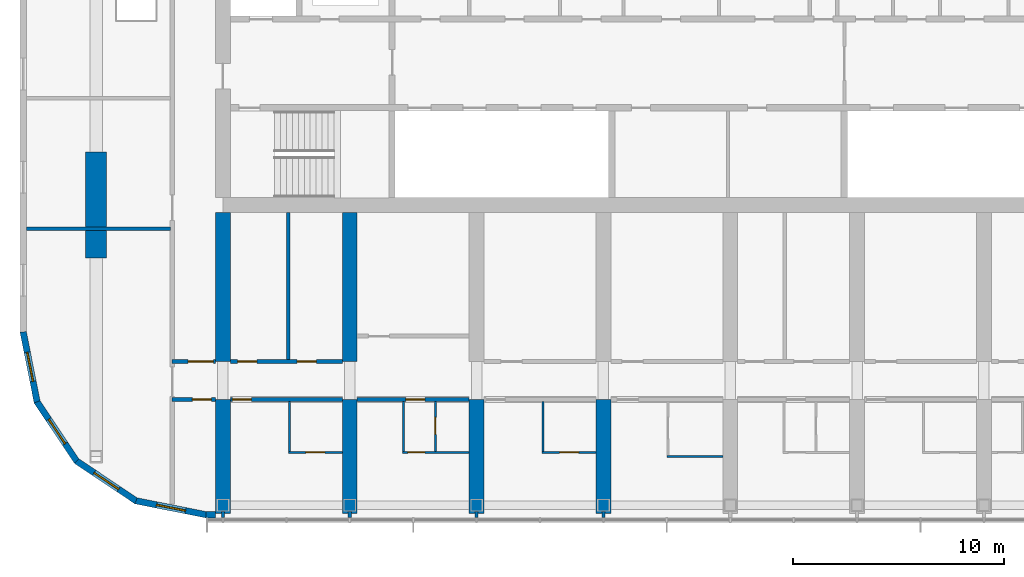
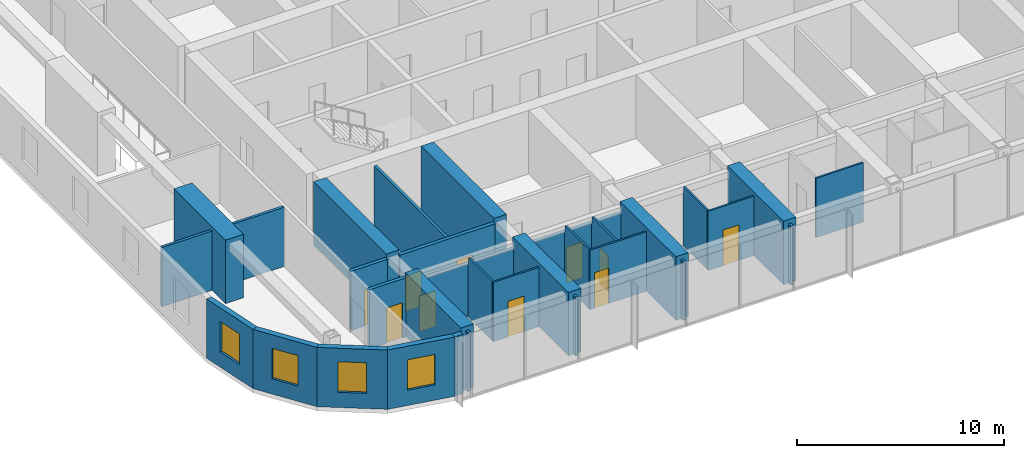
# One storey, part 10 of 23: 31 walls, 10 doors, 4 windows, 14 openings.
"""IFC4 building model written with IfcOpenShell, lengths in metres."""

import ifcopenshell
import ifcopenshell.guid

model = None  # the IFC model being written
_history = None  # IfcOwnerHistory: only IFC2X3 demands one
_inside = {}  # id of a spatial element -> (the spatial element, [elements in it])
_under = {}  # id of a project, library or spatial element -> (it, [spatial elements below it])
_declared = {}  # id of a project -> (the project, [libraries it declares])
_typed = {}  # id of a type object -> (the type object, [elements of that type])
_made_of = {}  # id of a material, layer set ... -> (it, [elements and type objects made of it])


def new_model(schema):
    """Start an empty IFC model of exactly this schema.

    Asked for "IFC4X3", IfcOpenShell would pick the latest addendum, in which some entities
    have other attributes; the version numbers below select the first issue.
    IFC2X3 requires an IfcOwnerHistory on every rooted entity: one is made here for all.
    """
    global model, _history
    if schema == "IFC4X3":
        model = ifcopenshell.file(schema_version=(4, 3, 0, 0))
    else:
        model = ifcopenshell.file(schema=schema)
    _inside.clear()
    _under.clear()
    _declared.clear()
    _typed.clear()
    _made_of.clear()
    _history = None
    if model.schema == "IFC2X3":
        org = make("IfcOrganization", Name="unknown")
        user = make(
            "IfcPersonAndOrganization",
            ThePerson=make("IfcPerson", FamilyName="unknown"),
            TheOrganization=org,
        )
        app = make(
            "IfcApplication",
            ApplicationDeveloper=org,
            Version="unknown",
            ApplicationFullName="unknown",
            ApplicationIdentifier="unknown",
        )
        _history = make(
            "IfcOwnerHistory",
            OwningUser=user,
            OwningApplication=app,
            ChangeAction="ADDED",
            CreationDate=0,
        )
    return model


def make(cls, **values):
    """One entity of the class cls with the attributes given. An attribute that is None is left unset."""
    return model.create_entity(
        cls, **{name: value for name, value in values.items() if value is not None}
    )


def rooted(cls, **values):
    """An entity with a GlobalId (a new one), such as an element, a storey or a relation."""
    return make(cls, GlobalId=ifcopenshell.guid.new(), OwnerHistory=_history, **values)


def si_unit(unit_type, name, prefix=None):
    """IfcSIUnit, for example si_unit("LENGTHUNIT", "METRE", prefix="MILLI")."""
    return make("IfcSIUnit", UnitType=unit_type, Prefix=prefix, Name=name)


def assignment(units):
    """IfcUnitAssignment: the units of a project."""
    return None if units is None else make("IfcUnitAssignment", Units=units)


def point(xyz):
    """IfcCartesianPoint."""
    return None if xyz is None else make("IfcCartesianPoint", Coordinates=xyz)


def direction(xyz):
    """IfcDirection."""
    return None if xyz is None else make("IfcDirection", DirectionRatios=xyz)


def frame(location, z_axis=None, x_axis=None):
    """IfcAxis2Placement3D, a coordinate frame: its origin and axes. An axis left out is left unset."""
    return make(
        "IfcAxis2Placement3D",
        Location=point(location),
        Axis=direction(z_axis),
        RefDirection=direction(x_axis),
    )


def frame_2d(location, x_axis=None):
    """IfcAxis2Placement2D, a coordinate frame in the plane: its origin and x axis."""
    return make(
        "IfcAxis2Placement2D", Location=point(location), RefDirection=direction(x_axis)
    )


def origin():
    """The frame at (0, 0, 0) with its axes left unset."""
    return frame((0.0, 0.0, 0.0))


def place(relative_to, where):
    """IfcLocalPlacement: puts the frame where relative to a parent placement (None: the world)."""
    return make(
        "IfcLocalPlacement", PlacementRelTo=relative_to, RelativePlacement=where
    )


def context(
    kind, dimensions, precision=None, world=None, true_north=None, identifier=None
):
    """IfcGeometricRepresentationContext, for example the 3D "Model" context."""
    return make(
        "IfcGeometricRepresentationContext",
        ContextIdentifier=identifier,
        ContextType=kind,
        CoordinateSpaceDimension=dimensions,
        Precision=precision,
        WorldCoordinateSystem=world,
        TrueNorth=true_north,
    )


def subcontext(parent, identifier, kind, view, scale=None):
    """IfcGeometricRepresentationSubContext, for example "Body" below "Model"."""
    return make(
        "IfcGeometricRepresentationSubContext",
        ContextIdentifier=identifier,
        ContextType=kind,
        ParentContext=parent,
        TargetScale=scale,
        TargetView=view,
    )


def project(units=None, contexts=None):
    """IfcProject with its units and contexts."""
    return rooted(
        "IfcProject",
        Name="project",
        RepresentationContexts=contexts,
        UnitsInContext=assignment(units),
    )


def spatial(cls, under=None, at=None, **own):
    """A site, building, storey or space (cls), placed at a placement, below another one or the project."""
    s = rooted(cls, ObjectPlacement=at, **own)
    if under is not None:
        _under.setdefault(under.id(), (under, []))[1].append(s)
    return s


def polyline(points):
    """IfcPolyline through the points."""
    return make("IfcPolyline", Points=[point(p) for p in points])


def profile(cls, at=None, kind="AREA", **sizes):
    """A parametric profile (cls). Its sizes go by their IFC names, for example OverallWidth=200.0."""
    return make(cls, ProfileType=kind, Position=at, **sizes)


def rectangle(**sizes):
    """IfcRectangleProfileDef."""
    return profile("IfcRectangleProfileDef", **sizes)


def outline(outer, holes=None, kind="AREA"):
    """IfcArbitraryClosedProfileDef: a profile drawn as a closed curve; with holes, ...WithVoids."""
    if holes is None:
        return make("IfcArbitraryClosedProfileDef", ProfileType=kind, OuterCurve=outer)
    return make(
        "IfcArbitraryProfileDefWithVoids",
        ProfileType=kind,
        OuterCurve=outer,
        InnerCurves=holes,
    )


def extrude(swept, where, along, depth):
    """IfcExtrudedAreaSolid: the profile swept, set in the frame where, extruded along a direction by depth."""
    return make(
        "IfcExtrudedAreaSolid",
        SweptArea=swept,
        Position=where,
        ExtrudedDirection=direction(along),
        Depth=depth,
    )


def shape(context_of_items, identifier, shape_type, items):
    """IfcShapeRepresentation: the items that make up one representation, for example the "Body"."""
    return make(
        "IfcShapeRepresentation",
        ContextOfItems=context_of_items,
        RepresentationIdentifier=identifier,
        RepresentationType=shape_type,
        Items=items,
    )


def material(Name=None, Category=None):
    """IfcMaterial."""
    return make("IfcMaterial", Name=Name, Category=Category)


def layer(
    of_material, thickness, ventilated=None, Name=None, Category=None, Priority=None
):
    """IfcMaterialLayer: one layer of a wall or slab, of a material (None: an air gap)."""
    return make(
        "IfcMaterialLayer",
        Material=of_material,
        LayerThickness=thickness,
        IsVentilated=ventilated,
        Name=Name,
        Category=Category,
        Priority=Priority,
    )


def layer_set(layers, Name=None):
    """IfcMaterialLayerSet."""
    return make("IfcMaterialLayerSet", MaterialLayers=layers, LayerSetName=Name)


def made_of(thing, what):
    """Note that an element or type object is made of a material, layer set ...; save() writes the relation."""
    if what is not None:
        _made_of.setdefault(what.id(), (what, []))[1].append(thing)
    return thing


def type_object(cls, material=None, **own):
    """A type object (cls), such as IfcWallType, which elements share."""
    return made_of(rooted(cls, **own), material)


def element(
    cls,
    number,
    at=None,
    inside=None,
    cuts=None,
    type_object=None,
    material=None,
    context=None,
    identifier="Body",
    shape_type=None,
    held_by="IfcProductDefinitionShape",
    body=None,
    shapes=None,
    **own,
):
    """One element of the class cls, such as IfcWall. Its Tag is "e" and its number.

    at: its placement. inside: the storey or other place that contains it. cuts: it is an
    opening in that element (IfcRelVoidsElement). A single representation is given by context,
    identifier, shape_type and body (its items); several are given by shapes. held_by: the class
    of the entity that holds the representations. save() writes the other relations.
    """
    e = rooted(cls, Tag="e%d" % number, ObjectPlacement=at, **own)
    if body is not None:
        shapes = [shape(context, identifier, shape_type, body)]
    if shapes is not None:
        e.Representation = make(held_by, Representations=shapes)
    if inside is not None:
        _inside.setdefault(inside.id(), (inside, []))[1].append(e)
    if cuts is not None:
        rooted(
            "IfcRelVoidsElement", RelatingBuildingElement=cuts, RelatedOpeningElement=e
        )
    if type_object is not None:
        _typed.setdefault(type_object.id(), (type_object, []))[1].append(e)
    return made_of(e, material)


def fill(opening, filler):
    """IfcRelFillsElement: the door or window that sits in an opening."""
    return rooted(
        "IfcRelFillsElement",
        RelatingOpeningElement=opening,
        RelatedBuildingElement=filler,
    )


def aggregate(whole, parts):
    """IfcRelAggregates: a whole, such as a stair, and the parts it consists of."""
    return rooted("IfcRelAggregates", RelatingObject=whole, RelatedObjects=parts)


def save(model, path):
    """Write the relations noted so far, then the file.

    IfcRelAggregates (storeys below a building ...), IfcRelContainedInSpatialStructure (elements
    in a storey), IfcRelDefinesByType, IfcRelAssociatesMaterial and IfcRelDeclares: one each for
    every whole, place, type object, material and project.
    """
    for whole, parts in _under.values():
        aggregate(whole, parts)
    for where, things in _inside.values():
        rooted(
            "IfcRelContainedInSpatialStructure",
            RelatedElements=things,
            RelatingStructure=where,
        )
    for kind, things in _typed.values():
        rooted("IfcRelDefinesByType", RelatedObjects=things, RelatingType=kind)
    for what, things in _made_of.values():
        rooted("IfcRelAssociatesMaterial", RelatedObjects=things, RelatingMaterial=what)
    for by, libraries in _declared.values():
        rooted("IfcRelDeclares", RelatingContext=by, RelatedDefinitions=libraries)
    model.write(path)


model = new_model("IFC4")

# Units and contexts
model_context = context("Model", 3, precision=1e-05, world=origin(), true_north=direction((0.0, 1.0)))
body_context = subcontext(model_context, "Body", "Model", "MODEL_VIEW")
ifc_project = project(units=[si_unit("LENGTHUNIT", "METRE"), si_unit("AREAUNIT", "SQUARE_METRE"), si_unit("VOLUMEUNIT", "CUBIC_METRE"), si_unit("PLANEANGLEUNIT", "RADIAN"), si_unit("MASSUNIT", "GRAM", prefix="KILO")], contexts=[model_context])

# Site, building, storey
site_placement = place(None, origin())
site = spatial("IfcSite", under=ifc_project, at=site_placement, CompositionType="ELEMENT")
building_placement = place(site_placement, origin())
building = spatial("IfcBuilding", under=site, at=building_placement, Name="Orbita Commons", CompositionType="ELEMENT")
storey_placement = place(building_placement, frame((0.0, 0.0, 220.300048828125)))
storey = spatial("IfcBuildingStorey", under=building, at=storey_placement, Name="L54", CompositionType="ELEMENT", Elevation=220.300048828125)

# Wall, opening, door
ifc_material_1 = material(Name="Concrete blockwork", Category="masonry")
ifc_layer_1 = layer(ifc_material_1, 0.199951171875)
ifc_layer_set_1 = layer_set([ifc_layer_1], Name="Concrete blockwork")
wall_type_1 = type_object("IfcWallType", Name="Corridor wall 200 blockwork", PredefinedType="SOLIDWALL", material=ifc_layer_set_1)
wall_1_placement = place(storey_placement, frame((15.60009765625, 16.60009765625, 0.0), z_axis=(0.0, 0.0, 1.0), x_axis=(1.0, 0.0, 0.0)))
wall_1 = element("IfcWall", 1, at=wall_1_placement, inside=storey, type_object=wall_type_1, Name="Corridor wall 200 blockwork L54", PredefinedType="SOLIDWALL", context=body_context, shape_type="SweptSolid", body=[
    extrude(rectangle(XDim=2.0498046875, YDim=0.199951171875, at=frame_2d((1.02490234375, 0.0))), origin(), (0.0, 0.0, 1.0), 3.5),
])
opening_1_placement = place(wall_1_placement, frame((0.949951171875, 0.0, 0.0)))
opening_1 = element("IfcOpeningElement", 2, at=opening_1_placement, cuts=wall_1, Name="Opening D05", PredefinedType="OPENING", context=body_context, shape_type="SweptSolid", body=[
    extrude(rectangle(XDim=0.89990234375, YDim=2.10009765625, at=frame_2d((0.449951171875, 1.050048828125))), frame((0.0, 0.10986328125, 0.0), z_axis=(0.0, -1.0, 0.0), x_axis=(1.0, 0.0, 0.0)), (0.0, 0.0, 1.0), 0.219970703125),
])
ifc_material_2 = material(Name="Steel-faced fire door leaf", Category="steel")
door_type_1 = type_object("IfcDoorType", Name="Service door 20 min 900x2100", OperationType="SINGLE_SWING_LEFT", PredefinedType="DOOR", material=ifc_material_2)
door_1_placement = place(opening_1_placement, origin())
door_1 = element("IfcDoor", 3, at=door_1_placement, inside=storey, type_object=door_type_1, Name="Linen store L54-KWS door", OperationType="SINGLE_SWING_LEFT", OverallHeight=2.10009765625, OverallWidth=0.89990234375, PredefinedType="DOOR", context=body_context, shape_type="SweptSolid", body=[
    extrude(rectangle(XDim=0.89990234375, YDim=2.10009765625, at=frame_2d((0.449951171875, 1.050048828125))), frame((0.0, 0.02490234375, 0.0), z_axis=(0.0, -1.0, 0.0), x_axis=(1.0, 0.0, 0.0)), (0.0, 0.0, 1.0), 0.050048828125),
])
fill(opening_1, door_1)

wall_2_placement = place(storey_placement, frame((18.35009765625, 16.60009765625, 0.0), z_axis=(0.0, 0.0, 1.0), x_axis=(1.0, 0.0, 0.0)))
wall_2 = element("IfcWall", 4, at=wall_2_placement, inside=storey, type_object=wall_type_1, Name="Corridor wall 200 blockwork L54", PredefinedType="SOLIDWALL", context=body_context, shape_type="SweptSolid", body=[
    extrude(outline(polyline([(0.0, 0.0), (5.2998046875, 0.0), (5.300048828125, 3.099853515625), (0.0, 3.099853515625), (0.0, 0.0)])), frame((0.0, 0.10009765625, 0.0), z_axis=(0.0, -1.0, 0.0), x_axis=(1.0, 0.0, 0.0)), (0.0, 0.0, 1.0), 0.199951171875),
])
opening_2_placement = place(wall_2_placement, frame((0.10009765625, 0.0, 0.0)))
opening_2 = element("IfcOpeningElement", 5, at=opening_2_placement, cuts=wall_2, Name="Opening D11", PredefinedType="OPENING", context=body_context, shape_type="SweptSolid", body=[
    extrude(rectangle(XDim=0.89990234375, YDim=2.10009765625, at=frame_2d((0.449951171875, 1.050048828125))), frame((0.0, 0.10986328125, 0.0), z_axis=(0.0, -1.0, 0.0), x_axis=(1.0, 0.0, 0.0)), (0.0, 0.0, 1.0), 0.219970703125),
])
ifc_material_3 = material(Name="Steel-faced fire door leaf", Category="steel")
door_type_2 = type_object("IfcDoorType", Name="Corridor door 20 min 900x2100", OperationType="SINGLE_SWING_LEFT", PredefinedType="DOOR", material=ifc_material_3)
door_2_placement = place(opening_2_placement, origin())
door_2 = element("IfcDoor", 6, at=door_2_placement, inside=storey, type_object=door_type_2, Name="Studio apartment with kitchenette L54-S00 door", OperationType="SINGLE_SWING_LEFT", OverallHeight=2.10009765625, OverallWidth=0.89990234375, PredefinedType="DOOR", context=body_context, shape_type="SweptSolid", body=[
    extrude(rectangle(XDim=0.89990234375, YDim=2.10009765625, at=frame_2d((0.449951171875, 1.050048828125))), frame((0.0, 0.02490234375, 0.0), z_axis=(0.0, -1.0, 0.0), x_axis=(1.0, 0.0, 0.0)), (0.0, 0.0, 1.0), 0.050048828125),
])
fill(opening_2, door_2)

wall_3_placement = place(storey_placement, frame((24.35009765625, 16.60009765625, 0.0), z_axis=(0.0, 0.0, 1.0), x_axis=(1.0, 0.0, 0.0)))
wall_3 = element("IfcWall", 7, at=wall_3_placement, inside=storey, type_object=wall_type_1, Name="Corridor wall 200 blockwork L54", PredefinedType="SOLIDWALL", context=body_context, shape_type="SweptSolid", body=[
    extrude(outline(polyline([(0.0, 0.0), (5.2998046875, 0.0), (5.300048828125, 3.099853515625), (0.0, 3.099853515625), (0.0, 0.0)])), frame((0.0, 0.10009765625, 0.0), z_axis=(0.0, -1.0, 0.0), x_axis=(1.0, 0.0, 0.0)), (0.0, 0.0, 1.0), 0.199951171875),
])
opening_3_placement = place(wall_3_placement, frame((2.300048828125, 0.0, 0.0)))
opening_3 = element("IfcOpeningElement", 8, at=opening_3_placement, cuts=wall_3, Name="Opening D11", PredefinedType="OPENING", context=body_context, shape_type="SweptSolid", body=[
    extrude(rectangle(XDim=0.89990234375, YDim=2.10009765625, at=frame_2d((0.449951171875, 1.050048828125))), frame((0.0, 0.10986328125, 0.0), z_axis=(0.0, -1.0, 0.0), x_axis=(1.0, 0.0, 0.0)), (0.0, 0.0, 1.0), 0.219970703125),
])
door_3_placement = place(opening_3_placement, origin())
door_3 = element("IfcDoor", 9, at=door_3_placement, inside=storey, type_object=door_type_2, Name="Studio flat L54-S02 entrance door", OperationType="SINGLE_SWING_LEFT", OverallHeight=2.10009765625, OverallWidth=0.89990234375, PredefinedType="DOOR", context=body_context, shape_type="SweptSolid", body=[
    extrude(rectangle(XDim=0.89990234375, YDim=2.10009765625, at=frame_2d((0.449951171875, 1.050048828125))), frame((0.0, 0.02490234375, 0.0), z_axis=(0.0, -1.0, 0.0), x_axis=(1.0, 0.0, 0.0)), (0.0, 0.0, 1.0), 0.050048828125),
])
fill(opening_3, door_3)

ifc_material_4 = material(Name="Hollow concrete block 200", Category="concrete")
ifc_layer_2 = layer(ifc_material_4, 0.199951171875)
ifc_layer_set_2 = layer_set([ifc_layer_2], Name="Hollow concrete block 200")
wall_type_2 = type_object("IfcWallType", Name="Corridor wall 200 hollow concrete block", PredefinedType="SOLIDWALL", material=ifc_layer_set_2)
wall_4_placement = place(storey_placement, frame((15.60009765625, 18.39990234375, 0.0), z_axis=(0.0, 0.0, 1.0), x_axis=(1.0, 0.0, 0.0)))
wall_4 = element("IfcWall", 10, at=wall_4_placement, inside=storey, type_object=wall_type_2, Name="Corridor wall 200 hollow concrete block L54", PredefinedType="SOLIDWALL", context=body_context, shape_type="SweptSolid", body=[
    extrude(rectangle(XDim=2.0498046875, YDim=0.199951171875, at=frame_2d((1.02490234375, 0.0))), origin(), (0.0, 0.0, 1.0), 3.5),
])
opening_4_placement = place(wall_4_placement, frame((0.75, 0.0, 0.0)))
opening_4 = element("IfcOpeningElement", 11, at=opening_4_placement, cuts=wall_4, Name="Opening D12", PredefinedType="OPENING", context=body_context, shape_type="SweptSolid", body=[
    extrude(rectangle(XDim=1.199951171875, YDim=2.10009765625, at=frame_2d((0.60009765625, 1.050048828125))), frame((0.0, 0.10986328125, 0.0), z_axis=(0.0, -1.0, 0.0), x_axis=(1.0, 0.0, 0.0)), (0.0, 0.0, 1.0), 0.219970703125),
])
ifc_material_5 = material(Name="Steel-faced fire door leaf", Category="steel")
door_type_3 = type_object("IfcDoorType", Name="Double corridor door 20 min 1200x2100", OperationType="DOUBLE_DOOR_SINGLE_SWING", PredefinedType="DOOR", material=ifc_material_5)
door_4_placement = place(opening_4_placement, origin())
door_4 = element("IfcDoor", 12, at=door_4_placement, inside=storey, type_object=door_type_3, Name="Cross corridor doors", OperationType="DOUBLE_DOOR_SINGLE_SWING", OverallHeight=2.10009765625, OverallWidth=1.199951171875, PredefinedType="DOOR", context=body_context, shape_type="SweptSolid", body=[
    extrude(rectangle(XDim=1.199951171875, YDim=2.10009765625, at=frame_2d((0.60009765625, 1.050048828125))), frame((0.0, 0.02490234375, 0.0), z_axis=(0.0, -1.0, 0.0), x_axis=(1.0, 0.0, 0.0)), (0.0, 0.0, 1.0), 0.050048828125),
])
fill(opening_4, door_4)

# Wall, openings, doors
wall_5_placement = place(storey_placement, frame((18.35009765625, 18.39990234375, 0.0), z_axis=(0.0, 0.0, 1.0), x_axis=(1.0, 0.0, 0.0)))
wall_5 = element("IfcWall", 13, at=wall_5_placement, inside=storey, type_object=wall_type_2, Name="Corridor wall 200 hollow concrete block L54", PredefinedType="SOLIDWALL", context=body_context, shape_type="SweptSolid", body=[
    extrude(rectangle(XDim=5.2998046875, YDim=0.199951171875, at=frame_2d((2.64990234375, 0.0))), origin(), (0.0, 0.0, 1.0), 3.5),
])
opening_5_placement = place(wall_5_placement, frame((0.35009765625, 0.0, 0.0)))
opening_5 = element("IfcOpeningElement", 14, at=opening_5_placement, cuts=wall_5, Name="Opening D11", PredefinedType="OPENING", context=body_context, shape_type="SweptSolid", body=[
    extrude(rectangle(XDim=0.89990234375, YDim=2.10009765625, at=frame_2d((0.449951171875, 1.050048828125))), frame((0.0, 0.10986328125, 0.0), z_axis=(0.0, -1.0, 0.0), x_axis=(1.0, 0.0, 0.0)), (0.0, 0.0, 1.0), 0.219970703125),
])
opening_6_placement = place(wall_5_placement, frame((3.1650390625, 0.0, 0.0)))
opening_6 = element("IfcOpeningElement", 15, at=opening_6_placement, cuts=wall_5, Name="Opening D11", PredefinedType="OPENING", context=body_context, shape_type="SweptSolid", body=[
    extrude(rectangle(XDim=0.89990234375, YDim=2.10009765625, at=frame_2d((0.449951171875, 1.050048828125))), frame((0.0, 0.10986328125, 0.0), z_axis=(0.0, -1.0, 0.0), x_axis=(1.0, 0.0, 0.0)), (0.0, 0.0, 1.0), 0.219970703125),
])
door_5_placement = place(opening_5_placement, origin())
door_5 = element("IfcDoor", 16, at=door_5_placement, inside=storey, type_object=door_type_2, Name="Accessible WC and shower room L54-BDS18n door", OperationType="SINGLE_SWING_LEFT", OverallHeight=2.10009765625, OverallWidth=0.89990234375, PredefinedType="DOOR", context=body_context, shape_type="SweptSolid", body=[
    extrude(rectangle(XDim=0.89990234375, YDim=2.10009765625, at=frame_2d((0.449951171875, 1.050048828125))), frame((0.0, 0.02490234375, 0.0), z_axis=(0.0, -1.0, 0.0), x_axis=(1.0, 0.0, 0.0)), (0.0, 0.0, 1.0), 0.050048828125),
])
fill(opening_5, door_5)
door_6_placement = place(opening_6_placement, origin())
door_6 = element("IfcDoor", 17, at=door_6_placement, inside=storey, type_object=door_type_2, Name="Meeting room L54-BDS18 door", OperationType="SINGLE_SWING_LEFT", OverallHeight=2.10009765625, OverallWidth=0.89990234375, PredefinedType="DOOR", context=body_context, shape_type="SweptSolid", body=[
    extrude(rectangle(XDim=0.89990234375, YDim=2.10009765625, at=frame_2d((0.449951171875, 1.050048828125))), frame((0.0, 0.02490234375, 0.0), z_axis=(0.0, -1.0, 0.0), x_axis=(1.0, 0.0, 0.0)), (0.0, 0.0, 1.0), 0.050048828125),
])
fill(opening_6, door_6)

# Walls
ifc_material_6 = material(Name="Concrete C50/60", Category="concrete")
ifc_layer_3 = layer(ifc_material_6, 0.699951171875)
ifc_layer_set_3 = layer_set([ifc_layer_3], Name="Concrete C50/60")
wall_type_3 = type_object("IfcWallType", Name="Cross wall 700 C50/60", PredefinedType="SHEAR", material=ifc_layer_set_3)
wall_6_placement = place(storey_placement, frame((18.0, 11.199951171875, 0.0), z_axis=(0.0, 0.0, 1.0), x_axis=(0.0, 1.0, 0.0)))
element("IfcWall", 18, at=wall_6_placement, inside=storey, type_object=wall_type_3, Name="Cross wall 4 south outer L54", PredefinedType="SHEAR", context=body_context, shape_type="SweptSolid", body=[
    extrude(rectangle(XDim=5.400146484375, YDim=0.699951171875, at=frame_2d((2.7001953125, 0.0))), origin(), (0.0, 0.0, 1.0), 3.75),
])
wall_7_placement = place(storey_placement, frame((18.0, 18.39990234375, 0.0), z_axis=(0.0, 0.0, 1.0), x_axis=(0.0, 1.0, 0.0)))
element("IfcWall", 19, at=wall_7_placement, inside=storey, type_object=wall_type_3, Name="Cross wall 4 south inner L54", PredefinedType="SHEAR", context=body_context, shape_type="SweptSolid", body=[
    extrude(rectangle(XDim=7.050048828125, YDim=0.699951171875, at=frame_2d((3.52490234375, 0.0))), origin(), (0.0, 0.0, 1.0), 3.75),
])
wall_8_placement = place(storey_placement, frame((24.0, 11.199951171875, 0.0), z_axis=(0.0, 0.0, 1.0), x_axis=(0.0, 1.0, 0.0)))
element("IfcWall", 20, at=wall_8_placement, inside=storey, type_object=wall_type_3, Name="Cross wall 5 south outer L54", PredefinedType="SHEAR", context=body_context, shape_type="SweptSolid", body=[
    extrude(rectangle(XDim=5.400146484375, YDim=0.699951171875, at=frame_2d((2.7001953125, 0.0))), origin(), (0.0, 0.0, 1.0), 3.75),
])
wall_9_placement = place(storey_placement, frame((24.0, 18.39990234375, 0.0), z_axis=(0.0, 0.0, 1.0), x_axis=(0.0, 1.0, 0.0)))
element("IfcWall", 21, at=wall_9_placement, inside=storey, type_object=wall_type_3, Name="Cross wall 5 south inner L54", PredefinedType="SHEAR", context=body_context, shape_type="SweptSolid", body=[
    extrude(rectangle(XDim=7.050048828125, YDim=0.699951171875, at=frame_2d((3.52490234375, 0.0))), origin(), (0.0, 0.0, 1.0), 3.75),
])
for number, where, z_axis, x_axis, name in (
    (22, (30.0, 11.199951171875, 0.0), (0.0, 0.0, 1.0), (0.0, 1.0, 0.0), "Cross wall 6 south outer L54"),
    (23, (36.0, 11.199951171875, 0.0), (0.0, 0.0, 1.0), (0.0, 1.0, 0.0), "Cross wall 7 south outer L54"),
):
    element("IfcWall", number, at=place(storey_placement, frame(where, z_axis=z_axis, x_axis=x_axis)), inside=storey, type_object=wall_type_3, Name=name, PredefinedType="SHEAR", context=body_context, shape_type="SweptSolid", body=[
        extrude(rectangle(XDim=5.400146484375, YDim=0.699951171875, at=frame_2d((2.7001953125, 0.0))), origin(), (0.0, 0.0, 1.0), 3.75),
    ])

# Wall, opening, door
ifc_material_7 = material(Name="Moisture-resistant plasterboard on steel studs", Category="steel")
ifc_layer_4 = layer(ifc_material_7, 0.10009765625)
ifc_layer_set_4 = layer_set([ifc_layer_4], Name="Moisture-resistant plasterboard on steel studs")
wall_type_4 = type_object("IfcWallType", Name="En-suite partition 100", PredefinedType="PARTITIONING", material=ifc_layer_set_4)
wall_10_placement = place(storey_placement, frame((23.64990234375, 14.10009765625, 0.0), z_axis=(0.0, 0.0, 1.0), x_axis=(-1.0, 0.0, 0.0)))
wall_10 = element("IfcWall", 24, at=wall_10_placement, inside=storey, type_object=wall_type_4, Name="En-suite partition 100 L54", PredefinedType="PARTITIONING", context=body_context, shape_type="SweptSolid", body=[
    extrude(rectangle(XDim=2.5498046875, YDim=0.10009765625, at=frame_2d((1.27490234375, 0.0))), origin(), (0.0, 0.0, 1.0), 3.5),
])
opening_7_placement = place(wall_10_placement, frame((0.824951171875, 0.0, 0.0)))
opening_7 = element("IfcOpeningElement", 25, at=opening_7_placement, cuts=wall_10, Name="Opening D09", PredefinedType="OPENING", context=body_context, shape_type="SweptSolid", body=[
    extrude(rectangle(XDim=0.89990234375, YDim=2.10009765625, at=frame_2d((0.449951171875, 1.050048828125))), frame((0.0, 0.06005859375, 0.0), z_axis=(0.0, -1.0, 0.0), x_axis=(1.0, 0.0, 0.0)), (0.0, 0.0, 1.0), 0.1201171875),
])
ifc_material_8 = material(Name="Laminated timber door leaf", Category="wood")
door_type_4 = type_object("IfcDoorType", Name="En-suite door 900x2100", OperationType="SINGLE_SWING_RIGHT", PredefinedType="DOOR", material=ifc_material_8)
door_7_placement = place(opening_7_placement, origin())
door_7 = element("IfcDoor", 26, at=door_7_placement, inside=storey, type_object=door_type_4, Name="En-suite L54-S00 door", OperationType="SINGLE_SWING_RIGHT", OverallHeight=2.10009765625, OverallWidth=0.89990234375, PredefinedType="DOOR", context=body_context, shape_type="SweptSolid", body=[
    extrude(rectangle(XDim=0.89990234375, YDim=2.10009765625, at=frame_2d((0.449951171875, 1.050048828125))), frame((0.0, 0.02490234375, 0.0), z_axis=(0.0, -1.0, 0.0), x_axis=(1.0, 0.0, 0.0)), (0.0, 0.0, 1.0), 0.050048828125),
])
fill(opening_7, door_7)

# Wall
wall_11_placement = place(storey_placement, frame((21.14990234375, 14.14990234375, 0.0), z_axis=(0.0, 0.0, 1.0), x_axis=(0.0, 1.0, 0.0)))
element("IfcWall", 27, at=wall_11_placement, inside=storey, type_object=wall_type_4, Name="En-suite partition 100 L54", PredefinedType="PARTITIONING", context=body_context, shape_type="SweptSolid", body=[
    extrude(outline(polyline([(0.0, 0.0), (2.35009765625, 0.0), (2.35009765625, 3.099853515625), (2.302001953125, 3.099853515625), (2.300048828125, 3.5), (0.0, 3.5), (0.0, 0.0)])), frame((0.0, 0.050048828125, 0.0), z_axis=(0.0, -1.0, 0.0), x_axis=(1.0, 0.0, 0.0)), (0.0, 0.0, 1.0), 0.10009765625),
])

# Wall, opening, door
wall_12_placement = place(storey_placement, frame((29.64990234375, 14.10009765625, 0.0), z_axis=(0.0, 0.0, 1.0), x_axis=(-1.0, 0.0, 0.0)))
wall_12 = element("IfcWall", 28, at=wall_12_placement, inside=storey, type_object=wall_type_4, Name="En-suite partition 100 L54", PredefinedType="PARTITIONING", context=body_context, shape_type="SweptSolid", body=[
    extrude(rectangle(XDim=3.14990234375, YDim=0.10009765625, at=frame_2d((1.574951171875, 0.0))), origin(), (0.0, 0.0, 1.0), 3.5),
])
opening_8_placement = place(wall_12_placement, frame((2.10009765625, 0.0, 0.0)))
opening_8 = element("IfcOpeningElement", 29, at=opening_8_placement, cuts=wall_12, Name="Opening D16", PredefinedType="OPENING", context=body_context, shape_type="SweptSolid", body=[
    extrude(rectangle(XDim=0.800048828125, YDim=2.10009765625, at=frame_2d((0.39990234375, 1.050048828125))), frame((0.0, 0.06005859375, 0.0), z_axis=(0.0, -1.0, 0.0), x_axis=(1.0, 0.0, 0.0)), (0.0, 0.0, 1.0), 0.1201171875),
])
ifc_material_9 = material(Name="Laminated timber door leaf", Category="wood")
door_type_5 = type_object("IfcDoorType", Name="En-suite door 800x2100", OperationType="SINGLE_SWING_RIGHT", PredefinedType="DOOR", material=ifc_material_9)
door_8_placement = place(opening_8_placement, origin())
door_8 = element("IfcDoor", 30, at=door_8_placement, inside=storey, type_object=door_type_5, Name="Studio flat L54-S02 door", OperationType="SINGLE_SWING_RIGHT", OverallHeight=2.10009765625, OverallWidth=0.800048828125, PredefinedType="DOOR", context=body_context, shape_type="SweptSolid", body=[
    extrude(rectangle(XDim=0.800048828125, YDim=2.10009765625, at=frame_2d((0.39990234375, 1.050048828125))), frame((0.0, 0.02490234375, 0.0), z_axis=(0.0, -1.0, 0.0), x_axis=(1.0, 0.0, 0.0)), (0.0, 0.0, 1.0), 0.050048828125),
])
fill(opening_8, door_8)

# Wall
wall_13_placement = place(storey_placement, frame((26.550048828125, 14.14990234375, 0.0), z_axis=(0.0, 0.0, 1.0), x_axis=(0.0, 1.0, 0.0)))
element("IfcWall", 31, at=wall_13_placement, inside=storey, type_object=wall_type_4, Name="En-suite partition 100 L54", PredefinedType="PARTITIONING", context=body_context, shape_type="SweptSolid", body=[
    extrude(outline(polyline([(0.0, 0.0), (2.35009765625, 0.0), (2.35009765625, 3.099853515625), (2.302001953125, 3.099853515625), (2.300048828125, 3.5), (0.0, 3.5), (0.0, 0.0)])), frame((0.0, 0.050048828125, 0.0), z_axis=(0.0, -1.0, 0.0), x_axis=(1.0, 0.0, 0.0)), (0.0, 0.0, 1.0), 0.10009765625),
])

# Wall, opening, door
wall_14_placement = place(storey_placement, frame((28.050048828125, 14.14990234375, 0.0), z_axis=(0.0, 0.0, 1.0), x_axis=(0.0, 1.0, 0.0)))
wall_14 = element("IfcWall", 32, at=wall_14_placement, inside=storey, type_object=wall_type_4, Name="En-suite partition 100 L54", PredefinedType="PARTITIONING", context=body_context, shape_type="SweptSolid", body=[
    extrude(outline(polyline([(0.0, 0.0), (2.35009765625, 0.0), (2.35009765625, 3.099853515625), (2.302001953125, 3.099853515625), (2.300048828125, 3.5), (0.0, 3.5), (0.0, 0.0)])), frame((0.0, 0.050048828125, 0.0), z_axis=(0.0, -1.0, 0.0), x_axis=(1.0, 0.0, 0.0)), (0.0, 0.0, 1.0), 0.10009765625),
])
opening_9_placement = place(wall_14_placement, frame((0.800048828125, 0.0, 0.0)))
opening_9 = element("IfcOpeningElement", 33, at=opening_9_placement, cuts=wall_14, Name="Opening D16", PredefinedType="OPENING", context=body_context, shape_type="SweptSolid", body=[
    extrude(rectangle(XDim=0.800048828125, YDim=2.10009765625, at=frame_2d((0.39990234375, 1.050048828125))), frame((0.0, 0.06005859375, 0.0), z_axis=(0.0, -1.0, 0.0), x_axis=(1.0, 0.0, 0.0)), (0.0, 0.0, 1.0), 0.1201171875),
])
door_9_placement = place(opening_9_placement, origin())
door_9 = element("IfcDoor", 34, at=door_9_placement, inside=storey, type_object=door_type_5, Name="Studio flat shower room L54-S02 door", OperationType="SINGLE_SWING_RIGHT", OverallHeight=2.10009765625, OverallWidth=0.800048828125, PredefinedType="DOOR", context=body_context, shape_type="SweptSolid", body=[
    extrude(rectangle(XDim=0.800048828125, YDim=2.10009765625, at=frame_2d((0.39990234375, 1.050048828125))), frame((0.0, 0.02490234375, 0.0), z_axis=(0.0, -1.0, 0.0), x_axis=(1.0, 0.0, 0.0)), (0.0, 0.0, 1.0), 0.050048828125),
])
fill(opening_9, door_9)

wall_15_placement = place(storey_placement, frame((35.64990234375, 14.10009765625, 0.0), z_axis=(0.0, 0.0, 1.0), x_axis=(-1.0, 0.0, 0.0)))
wall_15 = element("IfcWall", 35, at=wall_15_placement, inside=storey, type_object=wall_type_4, Name="En-suite partition 100 L54", PredefinedType="PARTITIONING", context=body_context, shape_type="SweptSolid", body=[
    extrude(rectangle(XDim=2.5498046875, YDim=0.10009765625, at=frame_2d((1.27490234375, 0.0))), origin(), (0.0, 0.0, 1.0), 3.5),
])
opening_10_placement = place(wall_15_placement, frame((0.824951171875, 0.0, 0.0)))
opening_10 = element("IfcOpeningElement", 36, at=opening_10_placement, cuts=wall_15, Name="Opening D09", PredefinedType="OPENING", context=body_context, shape_type="SweptSolid", body=[
    extrude(rectangle(XDim=0.89990234375, YDim=2.10009765625, at=frame_2d((0.449951171875, 1.050048828125))), frame((0.0, 0.06005859375, 0.0), z_axis=(0.0, -1.0, 0.0), x_axis=(1.0, 0.0, 0.0)), (0.0, 0.0, 1.0), 0.1201171875),
])
door_10_placement = place(opening_10_placement, origin())
door_10 = element("IfcDoor", 37, at=door_10_placement, inside=storey, type_object=door_type_4, Name="En-suite L54-S04 door", OperationType="SINGLE_SWING_RIGHT", OverallHeight=2.10009765625, OverallWidth=0.89990234375, PredefinedType="DOOR", context=body_context, shape_type="SweptSolid", body=[
    extrude(rectangle(XDim=0.89990234375, YDim=2.10009765625, at=frame_2d((0.449951171875, 1.050048828125))), frame((0.0, 0.02490234375, 0.0), z_axis=(0.0, -1.0, 0.0), x_axis=(1.0, 0.0, 0.0)), (0.0, 0.0, 1.0), 0.050048828125),
])
fill(opening_10, door_10)

# Walls
wall_16_placement = place(storey_placement, frame((33.14990234375, 14.14990234375, 0.0), z_axis=(0.0, 0.0, 1.0), x_axis=(0.0, 1.0, 0.0)))
element("IfcWall", 38, at=wall_16_placement, inside=storey, type_object=wall_type_4, Name="En-suite partition 100 L54", PredefinedType="PARTITIONING", context=body_context, shape_type="SweptSolid", body=[
    extrude(outline(polyline([(0.0, 0.0), (2.35009765625, 0.0), (2.35009765625, 3.099853515625), (2.302001953125, 3.099853515625), (2.300048828125, 3.5), (0.0, 3.5), (0.0, 0.0)])), frame((0.0, 0.050048828125, 0.0), z_axis=(0.0, -1.0, 0.0), x_axis=(1.0, 0.0, 0.0)), (0.0, 0.0, 1.0), 0.10009765625),
])
wall_17_placement = place(storey_placement, frame((39.0, 13.89990234375, 0.0), z_axis=(0.0, 0.0, 1.0), x_axis=(1.0, 0.0, 0.0)))
element("IfcWall", 39, at=wall_17_placement, inside=storey, type_object=wall_type_4, Name="En-suite partition 100 L54", PredefinedType="PARTITIONING", context=body_context, shape_type="SweptSolid", body=[
    extrude(rectangle(XDim=2.64990234375, YDim=0.10009765625, at=frame_2d((1.324951171875, 0.0))), origin(), (0.0, 0.0, 1.0), 3.5),
])
ifc_material_10 = material(Name="Concrete C50/60", Category="concrete")
ifc_layer_5 = layer(ifc_material_10, 1.0)
ifc_layer_set_5 = layer_set([ifc_layer_5], Name="Concrete C50/60")
wall_type_5 = type_object("IfcWallType", Name="End pier 1000x5000 C50/60", PredefinedType="SHEAR", material=ifc_layer_set_5)
wall_18_placement = place(storey_placement, frame((12.0, 23.300048828125, 0.0), z_axis=(0.0, 0.0, 1.0), x_axis=(0.0, 1.0, 0.0)))
element("IfcWall", 40, at=wall_18_placement, inside=storey, type_object=wall_type_5, Name="End pier 3/C L54", PredefinedType="SHEAR", context=body_context, shape_type="SweptSolid", body=[
    extrude(rectangle(XDim=5.0, YDim=1.0, at=frame_2d((2.5, 0.0))), origin(), (0.0, 0.0, 1.0), 3.75),
])
ifc_material_11 = material(Name="Gypsum plasterboard on steel studs", Category="steel")
ifc_layer_6 = layer(ifc_material_11, 0.14990234375)
ifc_layer_set_6 = layer_set([ifc_layer_6], Name="Gypsum plasterboard on steel studs")
wall_type_6 = type_object("IfcWallType", Name="Partition 150 plasterboard", PredefinedType="PARTITIONING", material=ifc_layer_set_6)
wall_19_placement = place(storey_placement, frame((21.090087890625, 18.5, 0.0), z_axis=(0.0, 0.0, 1.0), x_axis=(0.0, 1.0, 0.0)))
element("IfcWall", 41, at=wall_19_placement, inside=storey, type_object=wall_type_6, Name="Partition 150 plasterboard L54", PredefinedType="PARTITIONING", context=body_context, shape_type="SweptSolid", body=[
    extrude(rectangle(XDim=6.949951171875, YDim=0.14990234375, at=frame_2d((3.47509765625, 0.0))), origin(), (0.0, 0.0, 1.0), 3.5),
])
wall_20_placement = place(storey_placement, frame((8.705078125, 24.679931640625, 0.0), z_axis=(0.0, 0.0, 1.0), x_axis=(1.0, 0.0, 0.0)))
element("IfcWall", 42, at=wall_20_placement, inside=storey, type_object=wall_type_6, Name="Partition 150 plasterboard L54", PredefinedType="PARTITIONING", context=body_context, shape_type="SweptSolid", body=[
    extrude(rectangle(XDim=6.81982421875, YDim=0.14990234375, at=frame_2d((3.409912109375, 0.0))), origin(), (0.0, 0.0, 1.0), 3.5),
])
for number, where, z_axis, x_axis, name in (
    (43, (18.0, 11.300048828125, 0.0), (0.0, 0.0, 1.0), (0.0, -1.0, 0.0), "Partition 150 plasterboard L54"),
    (44, (24.0, 11.300048828125, 0.0), (0.0, 0.0, 1.0), (0.0, -1.0, 0.0), "Partition 150 plasterboard L54"),
    (45, (30.0, 11.300048828125, 0.0), (0.0, 0.0, 1.0), (0.0, -1.0, 0.0), "Partition 150 plasterboard L54"),
    (46, (36.0, 11.300048828125, 0.0), (0.0, 0.0, 1.0), (0.0, -1.0, 0.0), "Partition 150 plasterboard L54"),
):
    element("IfcWall", number, at=place(storey_placement, frame(where, z_axis=z_axis, x_axis=x_axis)), inside=storey, type_object=wall_type_6, Name=name, PredefinedType="PARTITIONING", context=body_context, shape_type="SweptSolid", body=[
        extrude(rectangle(XDim=0.2900390625, YDim=0.14990234375, at=frame_2d((0.14501953125, 0.0))), origin(), (0.0, 0.0, 1.0), 3.5),
    ])

# Wall, opening, window
ifc_material_12 = material(Name="Precast concrete C40/50, white board-marked finish", Category="concrete")
ifc_layer_7 = layer(ifc_material_12, 0.300048828125)
ifc_layer_set_7 = layer_set([ifc_layer_7], Name="Precast concrete C40/50, white board-marked finish")
wall_type_7 = type_object("IfcWallType", Name="Precast concrete end shield 300", PredefinedType="SOLIDWALL", material=ifc_layer_set_7)
wall_21_placement = place(storey_placement, frame((8.550048828125, 19.800048828125, 0.0), z_axis=(0.0, 0.0, 1.0), x_axis=(0.19508664885, -0.980786011034, 0.0)))
wall_21 = element("IfcWall", 47, at=wall_21_placement, inside=storey, type_object=wall_type_7, Name="End shield SW chord 1 L54", PredefinedType="SOLIDWALL", context=body_context, shape_type="SweptSolid", body=[
    extrude(outline(polyline([(-0.014892578125, -0.14990234375), (3.405029296875, -0.14990234375), (3.345458984375, 0.14990234375), (0.014892578125, 0.14990234375), (-0.014892578125, -0.14990234375)])), origin(), (0.0, 0.0, 1.0), 3.5),
])
opening_11_placement = place(wall_21_placement, frame((0.987548828125, 0.0, 0.89990234375)))
opening_11 = element("IfcOpeningElement", 48, at=opening_11_placement, cuts=wall_21, Name="Opening W02", PredefinedType="OPENING", context=body_context, shape_type="SweptSolid", body=[
    extrude(rectangle(XDim=1.39990234375, YDim=1.800048828125, at=frame_2d((0.699951171875, 0.89990234375))), frame((0.0, 0.159912109375, 0.0), z_axis=(0.0, -1.0, 0.0), x_axis=(1.0, 0.0, 0.0)), (0.0, 0.0, 1.0), 0.320068359375),
])
ifc_material_13 = material(Name="Aluminium frame, clear double glazing", Category="aluminium")
window_type = type_object("IfcWindowType", Name="Deep-set window 1400x1800", PartitioningType="SINGLE_PANEL", PredefinedType="WINDOW", material=ifc_material_13)
window_1_placement = place(opening_11_placement, origin())
window_1 = element("IfcWindow", 49, at=window_1_placement, inside=storey, type_object=window_type, Name="Window L54-SW0", OverallHeight=1.800048828125, OverallWidth=1.39990234375, PartitioningType="SINGLE_PANEL", PredefinedType="WINDOW", context=body_context, shape_type="SweptSolid", body=[
    extrude(rectangle(XDim=1.39990234375, YDim=1.800048828125, at=frame_2d((0.699951171875, 0.89990234375))), frame((0.0, 0.030029296875, 0.0), z_axis=(0.0, -1.0, 0.0), x_axis=(1.0, 0.0, 0.0)), (0.0, 0.0, 1.0), 0.06005859375),
])
fill(opening_11, window_1)

wall_22_placement = place(storey_placement, frame((9.20849609375, 16.48974609375, 0.0), z_axis=(0.0, 0.0, 1.0), x_axis=(0.555567969291, -0.831471124873, 0.0)))
wall_22 = element("IfcWall", 50, at=wall_22_placement, inside=storey, type_object=wall_type_7, Name="End shield SW chord 2 L54", PredefinedType="SOLIDWALL", context=body_context, shape_type="SweptSolid", body=[
    extrude(outline(polyline([(-0.02978515625, -0.14990234375), (3.40478515625, -0.14990234375), (3.34521484375, 0.14990234375), (0.02978515625, 0.14990234375), (-0.02978515625, -0.14990234375)])), origin(), (0.0, 0.0, 1.0), 3.5),
])
opening_12_placement = place(wall_22_placement, frame((0.987548828125, 0.0, 0.89990234375)))
opening_12 = element("IfcOpeningElement", 51, at=opening_12_placement, cuts=wall_22, Name="Opening W02", PredefinedType="OPENING", context=body_context, shape_type="SweptSolid", body=[
    extrude(rectangle(XDim=1.39990234375, YDim=1.800048828125, at=frame_2d((0.699951171875, 0.89990234375))), frame((0.0, 0.159912109375, 0.0), z_axis=(0.0, -1.0, 0.0), x_axis=(1.0, 0.0, 0.0)), (0.0, 0.0, 1.0), 0.320068359375),
])
window_2_placement = place(opening_12_placement, origin())
window_2 = element("IfcWindow", 52, at=window_2_placement, inside=storey, type_object=window_type, Name="Window L54-SW1", OverallHeight=1.800048828125, OverallWidth=1.39990234375, PartitioningType="SINGLE_PANEL", PredefinedType="WINDOW", context=body_context, shape_type="SweptSolid", body=[
    extrude(rectangle(XDim=1.39990234375, YDim=1.800048828125, at=frame_2d((0.699951171875, 0.89990234375))), frame((0.0, 0.030029296875, 0.0), z_axis=(0.0, -1.0, 0.0), x_axis=(1.0, 0.0, 0.0)), (0.0, 0.0, 1.0), 0.06005859375),
])
fill(opening_12, window_2)

wall_23_placement = place(storey_placement, frame((11.08349609375, 13.68359375, 0.0), z_axis=(0.0, 0.0, 1.0), x_axis=(0.831460037396, -0.555584562613, 0.0)))
wall_23 = element("IfcWall", 53, at=wall_23_placement, inside=storey, type_object=wall_type_7, Name="End shield SW chord 3 L54", PredefinedType="SOLIDWALL", context=body_context, shape_type="SweptSolid", body=[
    extrude(outline(polyline([(-0.02978515625, -0.14990234375), (3.405029296875, -0.14990234375), (3.345458984375, 0.14990234375), (0.02978515625, 0.14990234375), (-0.02978515625, -0.14990234375)])), origin(), (0.0, 0.0, 1.0), 3.5),
])
opening_13_placement = place(wall_23_placement, frame((0.987548828125, 0.0, 0.89990234375)))
opening_13 = element("IfcOpeningElement", 54, at=opening_13_placement, cuts=wall_23, Name="Opening W02", PredefinedType="OPENING", context=body_context, shape_type="SweptSolid", body=[
    extrude(rectangle(XDim=1.39990234375, YDim=1.800048828125, at=frame_2d((0.699951171875, 0.89990234375))), frame((0.0, 0.159912109375, 0.0), z_axis=(0.0, -1.0, 0.0), x_axis=(1.0, 0.0, 0.0)), (0.0, 0.0, 1.0), 0.320068359375),
])
window_3_placement = place(opening_13_placement, origin())
window_3 = element("IfcWindow", 55, at=window_3_placement, inside=storey, type_object=window_type, Name="Window L54-SW2", OverallHeight=1.800048828125, OverallWidth=1.39990234375, PartitioningType="SINGLE_PANEL", PredefinedType="WINDOW", context=body_context, shape_type="SweptSolid", body=[
    extrude(rectangle(XDim=1.39990234375, YDim=1.800048828125, at=frame_2d((0.699951171875, 0.89990234375))), frame((0.0, 0.030029296875, 0.0), z_axis=(0.0, -1.0, 0.0), x_axis=(1.0, 0.0, 0.0)), (0.0, 0.0, 1.0), 0.06005859375),
])
fill(opening_13, window_3)

wall_24_placement = place(storey_placement, frame((13.889892578125, 11.808349609375, 0.0), z_axis=(0.0, 0.0, 1.0), x_axis=(0.98078325777, -0.195100490205, 0.0)))
wall_24 = element("IfcWall", 56, at=wall_24_placement, inside=storey, type_object=wall_type_7, Name="End shield SW chord 4 L54", PredefinedType="SOLIDWALL", context=body_context, shape_type="SweptSolid", body=[
    extrude(outline(polyline([(-0.02978515625, -0.14990234375), (3.40478515625, -0.14990234375), (3.34521484375, 0.14990234375), (0.02978515625, 0.14990234375), (-0.02978515625, -0.14990234375)])), origin(), (0.0, 0.0, 1.0), 3.5),
])
opening_14_placement = place(wall_24_placement, frame((0.987548828125, 0.0, 0.89990234375)))
opening_14 = element("IfcOpeningElement", 57, at=opening_14_placement, cuts=wall_24, Name="Opening W02", PredefinedType="OPENING", context=body_context, shape_type="SweptSolid", body=[
    extrude(rectangle(XDim=1.39990234375, YDim=1.800048828125, at=frame_2d((0.699951171875, 0.89990234375))), frame((0.0, 0.159912109375, 0.0), z_axis=(0.0, -1.0, 0.0), x_axis=(1.0, 0.0, 0.0)), (0.0, 0.0, 1.0), 0.320068359375),
])
window_4_placement = place(opening_14_placement, origin())
window_4 = element("IfcWindow", 58, at=window_4_placement, inside=storey, type_object=window_type, Name="Window L54-SW3", OverallHeight=1.800048828125, OverallWidth=1.39990234375, PartitioningType="SINGLE_PANEL", PredefinedType="WINDOW", context=body_context, shape_type="SweptSolid", body=[
    extrude(rectangle(XDim=1.39990234375, YDim=1.800048828125, at=frame_2d((0.699951171875, 0.89990234375))), frame((0.0, 0.030029296875, 0.0), z_axis=(0.0, -1.0, 0.0), x_axis=(1.0, 0.0, 0.0)), (0.0, 0.0, 1.0), 0.06005859375),
])
fill(opening_14, window_4)

# Wall
wall_25_placement = place(storey_placement, frame((17.199951171875, 11.14990234375, 0.0), z_axis=(0.0, 0.0, 1.0), x_axis=(1.0, 0.0, 0.0)))
element("IfcWall", 59, at=wall_25_placement, inside=storey, type_object=wall_type_7, Name="End shield SW closer L54", PredefinedType="SOLIDWALL", context=body_context, shape_type="SweptSolid", body=[
    extrude(rectangle(XDim=0.449951171875, YDim=0.300048828125, at=frame_2d((0.22509765625, 0.0))), origin(), (0.0, 0.0, 1.0), 3.5),
])

save(model, "model.ifc")
